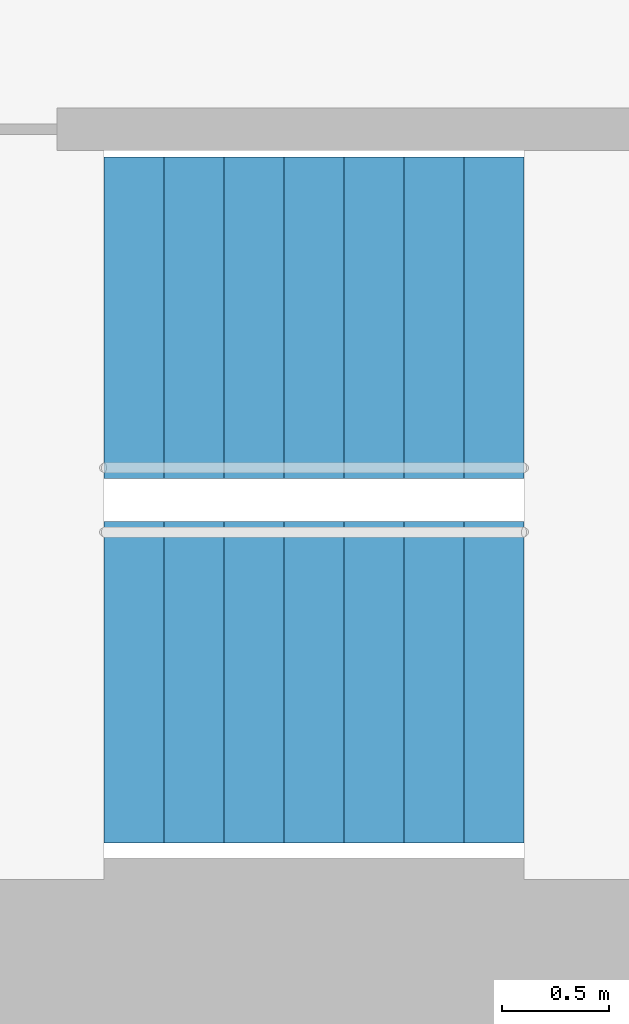
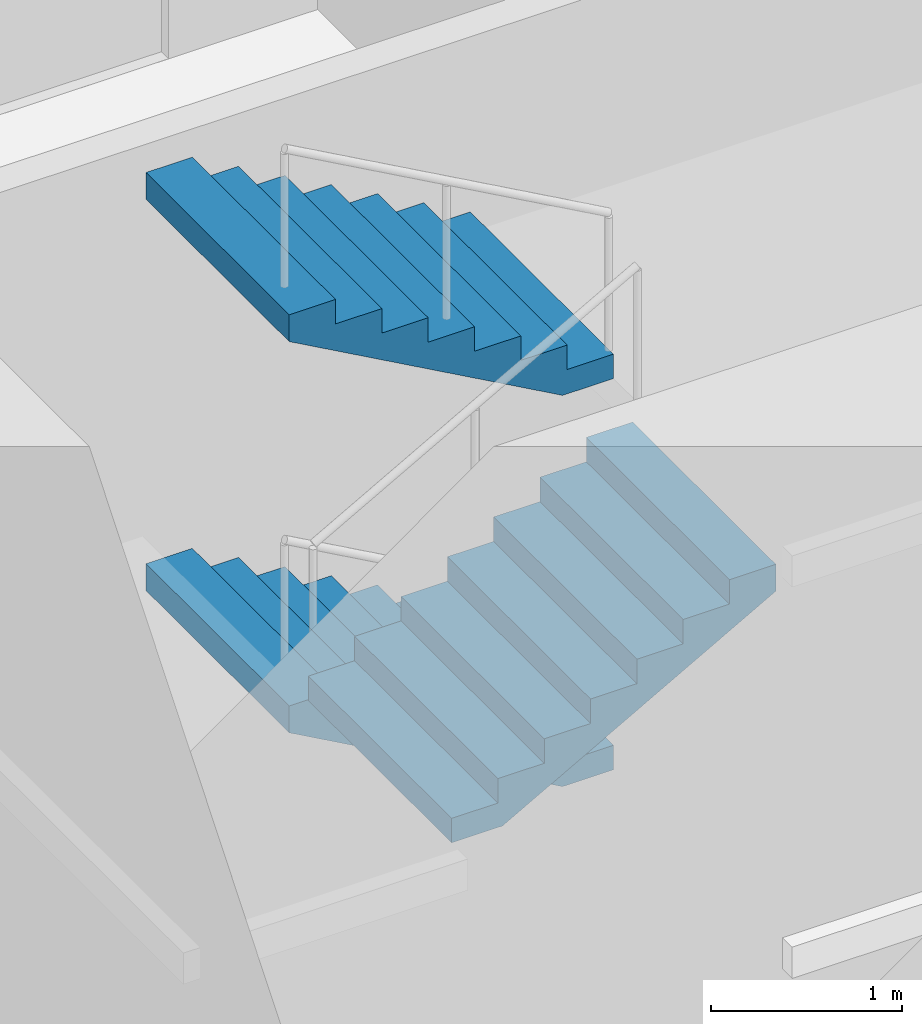
# One storey, part 31 of 73: 3 stair flights, 1 element without a shape of its own.
"""IFC4 building model written with IfcOpenShell, lengths in metres."""

from ifc_helpers import new_model, si_unit, direction, frame, origin, place, context, subcontext, project, spatial, triangles, material, type_object, element, aggregate, save


model = new_model("IFC4")

# Units and contexts
model_context = context("Model", 3, precision=1e-05, world=origin(), true_north=direction((0.0, 1.0)))
body_context = subcontext(model_context, "Body", "Model", "MODEL_VIEW")
ifc_project = project(units=[si_unit("LENGTHUNIT", "METRE"), si_unit("AREAUNIT", "SQUARE_METRE"), si_unit("VOLUMEUNIT", "CUBIC_METRE"), si_unit("PLANEANGLEUNIT", "RADIAN"), si_unit("MASSUNIT", "GRAM", prefix="KILO")], contexts=[model_context])

# Site, building, storey
site_placement = place(None, origin())
site = spatial("IfcSite", under=ifc_project, at=site_placement, CompositionType="ELEMENT")
building_placement = place(site_placement, origin())
building = spatial("IfcBuilding", under=site, at=building_placement, Name="Lantaw Convention Tower", CompositionType="ELEMENT")
storey_placement = place(building_placement, frame((0.0, 0.0, 22.0)))
storey = spatial("IfcBuildingStorey", under=building, at=storey_placement, Name="L03", CompositionType="ELEMENT", Elevation=22.0)

# Stair, stair flights
ifc_material = material(Name="Concrete C35/45", Category="concrete")
stair_type = type_object("IfcStairType", Name="Exit stair 1500 riser 156.25 in 4 flights", PredefinedType="HALF_TURN_STAIR", material=ifc_material)
stair_placement = place(storey_placement, origin())
stair = element("IfcStair", 1, at=stair_placement, inside=storey, type_object=stair_type, Name="Exit stair S1 L03", PredefinedType="HALF_TURN_STAIR")
stair_flight_type = type_object("IfcStairFlightType", Name="Stair flight 1500 riser 156.25", PredefinedType="STRAIGHT", material=ifc_material)
stair_flight_1_placement = place(storey_placement, frame((-8.6201171875, -4.280029296875, 1.25), z_axis=(0.0, 0.0, 1.0), x_axis=(-1.0, 0.0, 0.0)))
stair_flight_1 = element("IfcStairFlight", 2, at=stair_flight_1_placement, type_object=stair_flight_type, Name="S1 flight 2", NumberOfRisers=8, NumberOfTreads=7, PredefinedType="STRAIGHT", RiserHeight=0.15625, TreadLength=0.28, context=body_context, shape_type="Tessellation", body=[
    triangles([(0.0, 0.75, 0.0), (0.0, 0.75, 0.15625), (0.28, 0.75, 0.0), (0.28, 0.75, 0.15625), (0.28, 0.75, 0.3125), (0.3076200632058044, 0.75, 0.0), (0.3076200632058044, 0.75, 0.3125), (0.56, 0.75, 0.14083701830033238), (0.56, 0.75, 0.3125), (0.56, 0.75, 0.46875), (0.8400000000000001, 0.75, 0.29708701830033235), (0.8400000000000001, 0.75, 0.46875), (0.8400000000000001, 0.75, 0.625), (1.12, 0.75, 0.45333701830033235), (1.12, 0.75, 0.625), (1.12, 0.75, 0.78125), (1.4000000000000001, 0.75, 0.6095870183003324), (1.4000000000000001, 0.75, 0.78125), (1.4000000000000001, 0.75, 0.9375), (1.6800000000000002, 0.75, 0.7658370183003324), (1.6800000000000002, 0.75, 0.9375), (1.6800000000000002, 0.75, 1.09375), (1.9600000000000002, 0.75, 0.9220870183003324), (1.9600000000000002, 0.75, 1.09375), (0.0, -0.75, 0.0), (0.0, -0.75, 0.15625), (0.28, -0.75, 0.0), (0.28, -0.75, 0.15625), (0.28, -0.75, 0.3125), (0.3076200632058044, -0.75, 0.0), (0.3076200632058044, -0.75, 0.3125), (0.56, -0.75, 0.14083701830033238), (0.56, -0.75, 0.3125), (0.56, -0.75, 0.46875), (0.8400000000000001, -0.75, 0.29708701830033235), (0.8400000000000001, -0.75, 0.46875), (0.8400000000000001, -0.75, 0.625), (1.12, -0.75, 0.45333701830033235), (1.12, -0.75, 0.625), (1.12, -0.75, 0.78125), (1.4000000000000001, -0.75, 0.6095870183003324), (1.4000000000000001, -0.75, 0.78125), (1.4000000000000001, -0.75, 0.9375), (1.6800000000000002, -0.75, 0.7658370183003324), (1.6800000000000002, -0.75, 0.9375), (1.6800000000000002, -0.75, 1.09375), (1.9600000000000002, -0.75, 0.9220870183003324), (1.9600000000000002, -0.75, 1.09375), (0.0, 0.15000000000000002, 0.15625), (0.0, 0.15000000000000002, 0.0), (0.0, 0.0, 0.15625), (0.0, 0.0, 0.0), (0.0, -0.15000000000000002, 0.15625), (0.0, -0.15000000000000002, 0.0), (0.28, 0.15000000000000002, 0.3125), (0.28, 0.15000000000000002, 0.15625), (0.28, 0.0, 0.3125), (0.28, 0.0, 0.15625), (0.28, -0.15000000000000002, 0.3125), (0.28, -0.15000000000000002, 0.15625), (0.56, 0.15000000000000002, 0.46875), (0.56, 0.15000000000000002, 0.3125), (0.56, 0.0, 0.46875), (0.56, 0.0, 0.3125), (0.56, -0.15000000000000002, 0.46875), (0.56, -0.15000000000000002, 0.3125), (0.8400000000000001, 0.15000000000000002, 0.625), (0.8400000000000001, 0.15000000000000002, 0.46875), (0.8400000000000001, 0.0, 0.625), (0.8400000000000001, 0.0, 0.46875), (0.8400000000000001, -0.15000000000000002, 0.625), (0.8400000000000001, -0.15000000000000002, 0.46875), (1.12, 0.15000000000000002, 0.78125), (1.12, 0.15000000000000002, 0.625), (1.12, 0.0, 0.78125), (1.12, 0.0, 0.625), (1.12, -0.15000000000000002, 0.78125), (1.12, -0.15000000000000002, 0.625), (1.4000000000000001, 0.15000000000000002, 0.9375), (1.4000000000000001, 0.15000000000000002, 0.78125), (1.4000000000000001, 0.0, 0.9375), (1.4000000000000001, 0.0, 0.78125), (1.4000000000000001, -0.15000000000000002, 0.9375), (1.4000000000000001, -0.15000000000000002, 0.78125), (1.6800000000000002, 0.15000000000000002, 1.09375), (1.6800000000000002, 0.15000000000000002, 0.9375), (1.6800000000000002, 0.0, 1.09375), (1.6800000000000002, 0.0, 0.9375), (1.6800000000000002, -0.15000000000000002, 1.09375), (1.6800000000000002, -0.15000000000000002, 0.9375), (0.3076200632058044, 0.15000000000000002, 0.3125), (0.3076200632058044, 0.0, 0.3125), (0.3076200632058044, -0.15000000000000002, 0.3125), (1.9600000000000002, 0.15000000000000002, 1.09375), (1.9600000000000002, 0.0, 1.09375), (1.9600000000000002, -0.15000000000000002, 1.09375), (1.9600000000000002, 0.15000000000000002, 0.9220870183003324), (1.9600000000000002, 0.0, 0.9220870183003324), (1.9600000000000002, -0.15000000000000002, 0.9220870183003324), (1.6800000000000002, 0.15000000000000002, 0.7658370183003324), (1.6800000000000002, 0.0, 0.7658370183003324), (1.6800000000000002, -0.15000000000000002, 0.7658370183003324), (1.4000000000000001, 0.15000000000000002, 0.6095870183003324), (1.4000000000000001, 0.0, 0.6095870183003324), (1.4000000000000001, -0.15000000000000002, 0.6095870183003324), (1.12, 0.15000000000000002, 0.45333701830033235), (1.12, 0.0, 0.45333701830033235), (1.12, -0.15000000000000002, 0.45333701830033235), (0.8400000000000001, 0.15000000000000002, 0.29708701830033235), (0.8400000000000001, 0.0, 0.29708701830033235), (0.8400000000000001, -0.15000000000000002, 0.29708701830033235), (0.56, 0.15000000000000002, 0.14083701830033238), (0.56, 0.0, 0.14083701830033238), (0.56, -0.15000000000000002, 0.14083701830033238), (0.3076200632058044, 0.15000000000000002, 0.0), (0.3076200632058044, 0.0, 0.0), (0.3076200632058044, -0.15000000000000002, 0.0), (0.28, 0.15000000000000002, 0.0), (0.28, 0.0, 0.0), (0.28, -0.15000000000000002, 0.0)], [[1, 4, 3], [1, 2, 4], [3, 4, 6], [4, 7, 6], [4, 5, 7], [6, 9, 8], [6, 7, 9], [8, 9, 11], [9, 12, 11], [9, 10, 12], [11, 12, 14], [12, 15, 14], [12, 13, 15], [14, 15, 17], [15, 18, 17], [15, 16, 18], [17, 18, 20], [18, 21, 20], [18, 19, 21], [20, 21, 23], [21, 24, 23], [21, 22, 24], [25, 27, 28], [25, 28, 26], [27, 30, 28], [28, 30, 31], [28, 31, 29], [30, 32, 33], [30, 33, 31], [32, 35, 33], [33, 35, 36], [33, 36, 34], [35, 38, 36], [36, 38, 39], [36, 39, 37], [38, 41, 39], [39, 41, 42], [39, 42, 40], [41, 44, 42], [42, 44, 45], [42, 45, 43], [44, 47, 45], [45, 47, 48], [45, 48, 46], [1, 49, 2], [1, 50, 49], [50, 51, 49], [50, 52, 51], [52, 53, 51], [52, 54, 53], [54, 26, 53], [54, 25, 26], [4, 55, 5], [4, 56, 55], [56, 57, 55], [56, 58, 57], [58, 59, 57], [58, 60, 59], [60, 29, 59], [60, 28, 29], [9, 61, 10], [9, 62, 61], [62, 63, 61], [62, 64, 63], [64, 65, 63], [64, 66, 65], [66, 34, 65], [66, 33, 34], [12, 67, 13], [12, 68, 67], [68, 69, 67], [68, 70, 69], [70, 71, 69], [70, 72, 71], [72, 37, 71], [72, 36, 37], [15, 73, 16], [15, 74, 73], [74, 75, 73], [74, 76, 75], [76, 77, 75], [76, 78, 77], [78, 40, 77], [78, 39, 40], [18, 79, 19], [18, 80, 79], [80, 81, 79], [80, 82, 81], [82, 83, 81], [82, 84, 83], [84, 43, 83], [84, 42, 43], [21, 85, 22], [21, 86, 85], [86, 87, 85], [86, 88, 87], [88, 89, 87], [88, 90, 89], [90, 46, 89], [90, 45, 46], [2, 56, 4], [2, 49, 56], [49, 58, 56], [49, 51, 58], [51, 60, 58], [51, 53, 60], [53, 28, 60], [53, 26, 28], [5, 91, 7], [5, 55, 91], [55, 92, 91], [55, 57, 92], [57, 93, 92], [57, 59, 93], [59, 31, 93], [59, 29, 31], [7, 62, 9], [7, 91, 62], [91, 64, 62], [91, 92, 64], [92, 66, 64], [92, 93, 66], [93, 33, 66], [93, 31, 33], [10, 68, 12], [10, 61, 68], [61, 70, 68], [61, 63, 70], [63, 72, 70], [63, 65, 72], [65, 36, 72], [65, 34, 36], [13, 74, 15], [13, 67, 74], [67, 76, 74], [67, 69, 76], [69, 78, 76], [69, 71, 78], [71, 39, 78], [71, 37, 39], [16, 80, 18], [16, 73, 80], [73, 82, 80], [73, 75, 82], [75, 84, 82], [75, 77, 84], [77, 42, 84], [77, 40, 42], [19, 86, 21], [19, 79, 86], [79, 88, 86], [79, 81, 88], [81, 90, 88], [81, 83, 90], [83, 45, 90], [83, 43, 45], [22, 94, 24], [22, 85, 94], [85, 95, 94], [85, 87, 95], [87, 96, 95], [87, 89, 96], [89, 48, 96], [89, 46, 48], [24, 97, 23], [24, 94, 97], [94, 98, 97], [94, 95, 98], [95, 99, 98], [95, 96, 99], [96, 47, 99], [96, 48, 47], [23, 100, 20], [23, 97, 100], [97, 101, 100], [97, 98, 101], [98, 102, 101], [98, 99, 102], [99, 44, 102], [99, 47, 44], [20, 103, 17], [20, 100, 103], [100, 104, 103], [100, 101, 104], [101, 105, 104], [101, 102, 105], [102, 41, 105], [102, 44, 41], [17, 106, 14], [17, 103, 106], [103, 107, 106], [103, 104, 107], [104, 108, 107], [104, 105, 108], [105, 38, 108], [105, 41, 38], [14, 109, 11], [14, 106, 109], [106, 110, 109], [106, 107, 110], [107, 111, 110], [107, 108, 111], [108, 35, 111], [108, 38, 35], [11, 112, 8], [11, 109, 112], [109, 113, 112], [109, 110, 113], [110, 114, 113], [110, 111, 114], [111, 32, 114], [111, 35, 32], [8, 115, 6], [8, 112, 115], [112, 116, 115], [112, 113, 116], [113, 117, 116], [113, 114, 117], [114, 30, 117], [114, 32, 30], [6, 118, 3], [6, 115, 118], [115, 119, 118], [115, 116, 119], [116, 120, 119], [116, 117, 120], [117, 27, 120], [117, 30, 27], [3, 50, 1], [3, 118, 50], [118, 52, 50], [118, 119, 52], [119, 54, 52], [119, 120, 54], [120, 25, 54], [120, 27, 25]], closed=True),
])
stair_flight_2_placement = place(storey_placement, frame((-10.580078125, -5.97998046875, 2.5), z_axis=(0.0, 0.0, 1.0), x_axis=(1.0, 0.0, 0.0)))
stair_flight_2 = element("IfcStairFlight", 3, at=stair_flight_2_placement, type_object=stair_flight_type, Name="S1 flight 3", NumberOfRisers=8, NumberOfTreads=7, PredefinedType="STRAIGHT", RiserHeight=0.15625, TreadLength=0.28, context=body_context, shape_type="Tessellation", body=[
    triangles([(0.0, 0.75, 0.0), (0.0, 0.75, 0.15625), (0.28, 0.75, 0.0), (0.28, 0.75, 0.15625), (0.28, 0.75, 0.3125), (0.3076200632058044, 0.75, 0.0), (0.3076200632058044, 0.75, 0.3125), (0.56, 0.75, 0.14083701830033238), (0.56, 0.75, 0.3125), (0.56, 0.75, 0.46875), (0.8400000000000001, 0.75, 0.29708701830033235), (0.8400000000000001, 0.75, 0.46875), (0.8400000000000001, 0.75, 0.625), (1.12, 0.75, 0.45333701830033235), (1.12, 0.75, 0.625), (1.12, 0.75, 0.78125), (1.4000000000000001, 0.75, 0.6095870183003324), (1.4000000000000001, 0.75, 0.78125), (1.4000000000000001, 0.75, 0.9375), (1.6800000000000002, 0.75, 0.7658370183003324), (1.6800000000000002, 0.75, 0.9375), (1.6800000000000002, 0.75, 1.09375), (1.9600000000000002, 0.75, 0.9220870183003324), (1.9600000000000002, 0.75, 1.09375), (0.0, -0.75, 0.0), (0.0, -0.75, 0.15625), (0.28, -0.75, 0.0), (0.28, -0.75, 0.15625), (0.28, -0.75, 0.3125), (0.3076200632058044, -0.75, 0.0), (0.3076200632058044, -0.75, 0.3125), (0.56, -0.75, 0.14083701830033238), (0.56, -0.75, 0.3125), (0.56, -0.75, 0.46875), (0.8400000000000001, -0.75, 0.29708701830033235), (0.8400000000000001, -0.75, 0.46875), (0.8400000000000001, -0.75, 0.625), (1.12, -0.75, 0.45333701830033235), (1.12, -0.75, 0.625), (1.12, -0.75, 0.78125), (1.4000000000000001, -0.75, 0.6095870183003324), (1.4000000000000001, -0.75, 0.78125), (1.4000000000000001, -0.75, 0.9375), (1.6800000000000002, -0.75, 0.7658370183003324), (1.6800000000000002, -0.75, 0.9375), (1.6800000000000002, -0.75, 1.09375), (1.9600000000000002, -0.75, 0.9220870183003324), (1.9600000000000002, -0.75, 1.09375), (0.0, 0.15000000000000002, 0.15625), (0.0, 0.15000000000000002, 0.0), (0.0, 0.0, 0.15625), (0.0, 0.0, 0.0), (0.0, -0.15000000000000002, 0.15625), (0.0, -0.15000000000000002, 0.0), (0.28, 0.15000000000000002, 0.3125), (0.28, 0.15000000000000002, 0.15625), (0.28, 0.0, 0.3125), (0.28, 0.0, 0.15625), (0.28, -0.15000000000000002, 0.3125), (0.28, -0.15000000000000002, 0.15625), (0.56, 0.15000000000000002, 0.46875), (0.56, 0.15000000000000002, 0.3125), (0.56, 0.0, 0.46875), (0.56, 0.0, 0.3125), (0.56, -0.15000000000000002, 0.46875), (0.56, -0.15000000000000002, 0.3125), (0.8400000000000001, 0.15000000000000002, 0.625), (0.8400000000000001, 0.15000000000000002, 0.46875), (0.8400000000000001, 0.0, 0.625), (0.8400000000000001, 0.0, 0.46875), (0.8400000000000001, -0.15000000000000002, 0.625), (0.8400000000000001, -0.15000000000000002, 0.46875), (1.12, 0.15000000000000002, 0.78125), (1.12, 0.15000000000000002, 0.625), (1.12, 0.0, 0.78125), (1.12, 0.0, 0.625), (1.12, -0.15000000000000002, 0.78125), (1.12, -0.15000000000000002, 0.625), (1.4000000000000001, 0.15000000000000002, 0.9375), (1.4000000000000001, 0.15000000000000002, 0.78125), (1.4000000000000001, 0.0, 0.9375), (1.4000000000000001, 0.0, 0.78125), (1.4000000000000001, -0.15000000000000002, 0.9375), (1.4000000000000001, -0.15000000000000002, 0.78125), (1.6800000000000002, 0.15000000000000002, 1.09375), (1.6800000000000002, 0.15000000000000002, 0.9375), (1.6800000000000002, 0.0, 1.09375), (1.6800000000000002, 0.0, 0.9375), (1.6800000000000002, -0.15000000000000002, 1.09375), (1.6800000000000002, -0.15000000000000002, 0.9375), (0.3076200632058044, 0.15000000000000002, 0.3125), (0.3076200632058044, 0.0, 0.3125), (0.3076200632058044, -0.15000000000000002, 0.3125), (1.9600000000000002, 0.15000000000000002, 1.09375), (1.9600000000000002, 0.0, 1.09375), (1.9600000000000002, -0.15000000000000002, 1.09375), (1.9600000000000002, 0.15000000000000002, 0.9220870183003324), (1.9600000000000002, 0.0, 0.9220870183003324), (1.9600000000000002, -0.15000000000000002, 0.9220870183003324), (1.6800000000000002, 0.15000000000000002, 0.7658370183003324), (1.6800000000000002, 0.0, 0.7658370183003324), (1.6800000000000002, -0.15000000000000002, 0.7658370183003324), (1.4000000000000001, 0.15000000000000002, 0.6095870183003324), (1.4000000000000001, 0.0, 0.6095870183003324), (1.4000000000000001, -0.15000000000000002, 0.6095870183003324), (1.12, 0.15000000000000002, 0.45333701830033235), (1.12, 0.0, 0.45333701830033235), (1.12, -0.15000000000000002, 0.45333701830033235), (0.8400000000000001, 0.15000000000000002, 0.29708701830033235), (0.8400000000000001, 0.0, 0.29708701830033235), (0.8400000000000001, -0.15000000000000002, 0.29708701830033235), (0.56, 0.15000000000000002, 0.14083701830033238), (0.56, 0.0, 0.14083701830033238), (0.56, -0.15000000000000002, 0.14083701830033238), (0.3076200632058044, 0.15000000000000002, 0.0), (0.3076200632058044, 0.0, 0.0), (0.3076200632058044, -0.15000000000000002, 0.0), (0.28, 0.15000000000000002, 0.0), (0.28, 0.0, 0.0), (0.28, -0.15000000000000002, 0.0)], [[1, 4, 3], [1, 2, 4], [3, 4, 6], [4, 7, 6], [4, 5, 7], [6, 9, 8], [6, 7, 9], [8, 9, 11], [9, 12, 11], [9, 10, 12], [11, 12, 14], [12, 15, 14], [12, 13, 15], [14, 15, 17], [15, 18, 17], [15, 16, 18], [17, 18, 20], [18, 21, 20], [18, 19, 21], [20, 21, 23], [21, 24, 23], [21, 22, 24], [25, 27, 28], [25, 28, 26], [27, 30, 28], [28, 30, 31], [28, 31, 29], [30, 32, 33], [30, 33, 31], [32, 35, 33], [33, 35, 36], [33, 36, 34], [35, 38, 36], [36, 38, 39], [36, 39, 37], [38, 41, 39], [39, 41, 42], [39, 42, 40], [41, 44, 42], [42, 44, 45], [42, 45, 43], [44, 47, 45], [45, 47, 48], [45, 48, 46], [1, 49, 2], [1, 50, 49], [50, 51, 49], [50, 52, 51], [52, 53, 51], [52, 54, 53], [54, 26, 53], [54, 25, 26], [4, 55, 5], [4, 56, 55], [56, 57, 55], [56, 58, 57], [58, 59, 57], [58, 60, 59], [60, 29, 59], [60, 28, 29], [9, 61, 10], [9, 62, 61], [62, 63, 61], [62, 64, 63], [64, 65, 63], [64, 66, 65], [66, 34, 65], [66, 33, 34], [12, 67, 13], [12, 68, 67], [68, 69, 67], [68, 70, 69], [70, 71, 69], [70, 72, 71], [72, 37, 71], [72, 36, 37], [15, 73, 16], [15, 74, 73], [74, 75, 73], [74, 76, 75], [76, 77, 75], [76, 78, 77], [78, 40, 77], [78, 39, 40], [18, 79, 19], [18, 80, 79], [80, 81, 79], [80, 82, 81], [82, 83, 81], [82, 84, 83], [84, 43, 83], [84, 42, 43], [21, 85, 22], [21, 86, 85], [86, 87, 85], [86, 88, 87], [88, 89, 87], [88, 90, 89], [90, 46, 89], [90, 45, 46], [2, 56, 4], [2, 49, 56], [49, 58, 56], [49, 51, 58], [51, 60, 58], [51, 53, 60], [53, 28, 60], [53, 26, 28], [5, 91, 7], [5, 55, 91], [55, 92, 91], [55, 57, 92], [57, 93, 92], [57, 59, 93], [59, 31, 93], [59, 29, 31], [7, 62, 9], [7, 91, 62], [91, 64, 62], [91, 92, 64], [92, 66, 64], [92, 93, 66], [93, 33, 66], [93, 31, 33], [10, 68, 12], [10, 61, 68], [61, 70, 68], [61, 63, 70], [63, 72, 70], [63, 65, 72], [65, 36, 72], [65, 34, 36], [13, 74, 15], [13, 67, 74], [67, 76, 74], [67, 69, 76], [69, 78, 76], [69, 71, 78], [71, 39, 78], [71, 37, 39], [16, 80, 18], [16, 73, 80], [73, 82, 80], [73, 75, 82], [75, 84, 82], [75, 77, 84], [77, 42, 84], [77, 40, 42], [19, 86, 21], [19, 79, 86], [79, 88, 86], [79, 81, 88], [81, 90, 88], [81, 83, 90], [83, 45, 90], [83, 43, 45], [22, 94, 24], [22, 85, 94], [85, 95, 94], [85, 87, 95], [87, 96, 95], [87, 89, 96], [89, 48, 96], [89, 46, 48], [24, 97, 23], [24, 94, 97], [94, 98, 97], [94, 95, 98], [95, 99, 98], [95, 96, 99], [96, 47, 99], [96, 48, 47], [23, 100, 20], [23, 97, 100], [97, 101, 100], [97, 98, 101], [98, 102, 101], [98, 99, 102], [99, 44, 102], [99, 47, 44], [20, 103, 17], [20, 100, 103], [100, 104, 103], [100, 101, 104], [101, 105, 104], [101, 102, 105], [102, 41, 105], [102, 44, 41], [17, 106, 14], [17, 103, 106], [103, 107, 106], [103, 104, 107], [104, 108, 107], [104, 105, 108], [105, 38, 108], [105, 41, 38], [14, 109, 11], [14, 106, 109], [106, 110, 109], [106, 107, 110], [107, 111, 110], [107, 108, 111], [108, 35, 111], [108, 38, 35], [11, 112, 8], [11, 109, 112], [109, 113, 112], [109, 110, 113], [110, 114, 113], [110, 111, 114], [111, 32, 114], [111, 35, 32], [8, 115, 6], [8, 112, 115], [112, 116, 115], [112, 113, 116], [113, 117, 116], [113, 114, 117], [114, 30, 117], [114, 32, 30], [6, 118, 3], [6, 115, 118], [115, 119, 118], [115, 116, 119], [116, 120, 119], [116, 117, 120], [117, 27, 120], [117, 30, 27], [3, 50, 1], [3, 118, 50], [118, 52, 50], [118, 119, 52], [119, 54, 52], [119, 120, 54], [120, 25, 54], [120, 27, 25]], closed=True),
])
stair_flight_3_placement = place(storey_placement, frame((-8.6201171875, -4.280029296875, 3.75), z_axis=(0.0, 0.0, 1.0), x_axis=(-1.0, 0.0, 0.0)))
stair_flight_3 = element("IfcStairFlight", 4, at=stair_flight_3_placement, type_object=stair_flight_type, Name="S1 flight 4", NumberOfRisers=8, NumberOfTreads=7, PredefinedType="STRAIGHT", RiserHeight=0.15625, TreadLength=0.28, context=body_context, shape_type="Tessellation", body=[
    triangles([(0.0, 0.75, 0.0), (0.0, 0.75, 0.15625), (0.28, 0.75, 0.0), (0.28, 0.75, 0.15625), (0.28, 0.75, 0.3125), (0.3076200632058044, 0.75, 0.0), (0.3076200632058044, 0.75, 0.3125), (0.56, 0.75, 0.14083701830033238), (0.56, 0.75, 0.3125), (0.56, 0.75, 0.46875), (0.8400000000000001, 0.75, 0.29708701830033235), (0.8400000000000001, 0.75, 0.46875), (0.8400000000000001, 0.75, 0.625), (1.12, 0.75, 0.45333701830033235), (1.12, 0.75, 0.625), (1.12, 0.75, 0.78125), (1.4000000000000001, 0.75, 0.6095870183003324), (1.4000000000000001, 0.75, 0.78125), (1.4000000000000001, 0.75, 0.9375), (1.6800000000000002, 0.75, 0.7658370183003324), (1.6800000000000002, 0.75, 0.9375), (1.6800000000000002, 0.75, 1.09375), (1.9600000000000002, 0.75, 0.9220870183003324), (1.9600000000000002, 0.75, 1.09375), (0.0, -0.75, 0.0), (0.0, -0.75, 0.15625), (0.28, -0.75, 0.0), (0.28, -0.75, 0.15625), (0.28, -0.75, 0.3125), (0.3076200632058044, -0.75, 0.0), (0.3076200632058044, -0.75, 0.3125), (0.56, -0.75, 0.14083701830033238), (0.56, -0.75, 0.3125), (0.56, -0.75, 0.46875), (0.8400000000000001, -0.75, 0.29708701830033235), (0.8400000000000001, -0.75, 0.46875), (0.8400000000000001, -0.75, 0.625), (1.12, -0.75, 0.45333701830033235), (1.12, -0.75, 0.625), (1.12, -0.75, 0.78125), (1.4000000000000001, -0.75, 0.6095870183003324), (1.4000000000000001, -0.75, 0.78125), (1.4000000000000001, -0.75, 0.9375), (1.6800000000000002, -0.75, 0.7658370183003324), (1.6800000000000002, -0.75, 0.9375), (1.6800000000000002, -0.75, 1.09375), (1.9600000000000002, -0.75, 0.9220870183003324), (1.9600000000000002, -0.75, 1.09375), (0.0, 0.15000000000000002, 0.15625), (0.0, 0.15000000000000002, 0.0), (0.0, 0.0, 0.15625), (0.0, 0.0, 0.0), (0.0, -0.15000000000000002, 0.15625), (0.0, -0.15000000000000002, 0.0), (0.28, 0.15000000000000002, 0.3125), (0.28, 0.15000000000000002, 0.15625), (0.28, 0.0, 0.3125), (0.28, 0.0, 0.15625), (0.28, -0.15000000000000002, 0.3125), (0.28, -0.15000000000000002, 0.15625), (0.56, 0.15000000000000002, 0.46875), (0.56, 0.15000000000000002, 0.3125), (0.56, 0.0, 0.46875), (0.56, 0.0, 0.3125), (0.56, -0.15000000000000002, 0.46875), (0.56, -0.15000000000000002, 0.3125), (0.8400000000000001, 0.15000000000000002, 0.625), (0.8400000000000001, 0.15000000000000002, 0.46875), (0.8400000000000001, 0.0, 0.625), (0.8400000000000001, 0.0, 0.46875), (0.8400000000000001, -0.15000000000000002, 0.625), (0.8400000000000001, -0.15000000000000002, 0.46875), (1.12, 0.15000000000000002, 0.78125), (1.12, 0.15000000000000002, 0.625), (1.12, 0.0, 0.78125), (1.12, 0.0, 0.625), (1.12, -0.15000000000000002, 0.78125), (1.12, -0.15000000000000002, 0.625), (1.4000000000000001, 0.15000000000000002, 0.9375), (1.4000000000000001, 0.15000000000000002, 0.78125), (1.4000000000000001, 0.0, 0.9375), (1.4000000000000001, 0.0, 0.78125), (1.4000000000000001, -0.15000000000000002, 0.9375), (1.4000000000000001, -0.15000000000000002, 0.78125), (1.6800000000000002, 0.15000000000000002, 1.09375), (1.6800000000000002, 0.15000000000000002, 0.9375), (1.6800000000000002, 0.0, 1.09375), (1.6800000000000002, 0.0, 0.9375), (1.6800000000000002, -0.15000000000000002, 1.09375), (1.6800000000000002, -0.15000000000000002, 0.9375), (0.3076200632058044, 0.15000000000000002, 0.3125), (0.3076200632058044, 0.0, 0.3125), (0.3076200632058044, -0.15000000000000002, 0.3125), (1.9600000000000002, 0.15000000000000002, 1.09375), (1.9600000000000002, 0.0, 1.09375), (1.9600000000000002, -0.15000000000000002, 1.09375), (1.9600000000000002, 0.15000000000000002, 0.9220870183003324), (1.9600000000000002, 0.0, 0.9220870183003324), (1.9600000000000002, -0.15000000000000002, 0.9220870183003324), (1.6800000000000002, 0.15000000000000002, 0.7658370183003324), (1.6800000000000002, 0.0, 0.7658370183003324), (1.6800000000000002, -0.15000000000000002, 0.7658370183003324), (1.4000000000000001, 0.15000000000000002, 0.6095870183003324), (1.4000000000000001, 0.0, 0.6095870183003324), (1.4000000000000001, -0.15000000000000002, 0.6095870183003324), (1.12, 0.15000000000000002, 0.45333701830033235), (1.12, 0.0, 0.45333701830033235), (1.12, -0.15000000000000002, 0.45333701830033235), (0.8400000000000001, 0.15000000000000002, 0.29708701830033235), (0.8400000000000001, 0.0, 0.29708701830033235), (0.8400000000000001, -0.15000000000000002, 0.29708701830033235), (0.56, 0.15000000000000002, 0.14083701830033238), (0.56, 0.0, 0.14083701830033238), (0.56, -0.15000000000000002, 0.14083701830033238), (0.3076200632058044, 0.15000000000000002, 0.0), (0.3076200632058044, 0.0, 0.0), (0.3076200632058044, -0.15000000000000002, 0.0), (0.28, 0.15000000000000002, 0.0), (0.28, 0.0, 0.0), (0.28, -0.15000000000000002, 0.0)], [[1, 4, 3], [1, 2, 4], [3, 4, 6], [4, 7, 6], [4, 5, 7], [6, 9, 8], [6, 7, 9], [8, 9, 11], [9, 12, 11], [9, 10, 12], [11, 12, 14], [12, 15, 14], [12, 13, 15], [14, 15, 17], [15, 18, 17], [15, 16, 18], [17, 18, 20], [18, 21, 20], [18, 19, 21], [20, 21, 23], [21, 24, 23], [21, 22, 24], [25, 27, 28], [25, 28, 26], [27, 30, 28], [28, 30, 31], [28, 31, 29], [30, 32, 33], [30, 33, 31], [32, 35, 33], [33, 35, 36], [33, 36, 34], [35, 38, 36], [36, 38, 39], [36, 39, 37], [38, 41, 39], [39, 41, 42], [39, 42, 40], [41, 44, 42], [42, 44, 45], [42, 45, 43], [44, 47, 45], [45, 47, 48], [45, 48, 46], [1, 49, 2], [1, 50, 49], [50, 51, 49], [50, 52, 51], [52, 53, 51], [52, 54, 53], [54, 26, 53], [54, 25, 26], [4, 55, 5], [4, 56, 55], [56, 57, 55], [56, 58, 57], [58, 59, 57], [58, 60, 59], [60, 29, 59], [60, 28, 29], [9, 61, 10], [9, 62, 61], [62, 63, 61], [62, 64, 63], [64, 65, 63], [64, 66, 65], [66, 34, 65], [66, 33, 34], [12, 67, 13], [12, 68, 67], [68, 69, 67], [68, 70, 69], [70, 71, 69], [70, 72, 71], [72, 37, 71], [72, 36, 37], [15, 73, 16], [15, 74, 73], [74, 75, 73], [74, 76, 75], [76, 77, 75], [76, 78, 77], [78, 40, 77], [78, 39, 40], [18, 79, 19], [18, 80, 79], [80, 81, 79], [80, 82, 81], [82, 83, 81], [82, 84, 83], [84, 43, 83], [84, 42, 43], [21, 85, 22], [21, 86, 85], [86, 87, 85], [86, 88, 87], [88, 89, 87], [88, 90, 89], [90, 46, 89], [90, 45, 46], [2, 56, 4], [2, 49, 56], [49, 58, 56], [49, 51, 58], [51, 60, 58], [51, 53, 60], [53, 28, 60], [53, 26, 28], [5, 91, 7], [5, 55, 91], [55, 92, 91], [55, 57, 92], [57, 93, 92], [57, 59, 93], [59, 31, 93], [59, 29, 31], [7, 62, 9], [7, 91, 62], [91, 64, 62], [91, 92, 64], [92, 66, 64], [92, 93, 66], [93, 33, 66], [93, 31, 33], [10, 68, 12], [10, 61, 68], [61, 70, 68], [61, 63, 70], [63, 72, 70], [63, 65, 72], [65, 36, 72], [65, 34, 36], [13, 74, 15], [13, 67, 74], [67, 76, 74], [67, 69, 76], [69, 78, 76], [69, 71, 78], [71, 39, 78], [71, 37, 39], [16, 80, 18], [16, 73, 80], [73, 82, 80], [73, 75, 82], [75, 84, 82], [75, 77, 84], [77, 42, 84], [77, 40, 42], [19, 86, 21], [19, 79, 86], [79, 88, 86], [79, 81, 88], [81, 90, 88], [81, 83, 90], [83, 45, 90], [83, 43, 45], [22, 94, 24], [22, 85, 94], [85, 95, 94], [85, 87, 95], [87, 96, 95], [87, 89, 96], [89, 48, 96], [89, 46, 48], [24, 97, 23], [24, 94, 97], [94, 98, 97], [94, 95, 98], [95, 99, 98], [95, 96, 99], [96, 47, 99], [96, 48, 47], [23, 100, 20], [23, 97, 100], [97, 101, 100], [97, 98, 101], [98, 102, 101], [98, 99, 102], [99, 44, 102], [99, 47, 44], [20, 103, 17], [20, 100, 103], [100, 104, 103], [100, 101, 104], [101, 105, 104], [101, 102, 105], [102, 41, 105], [102, 44, 41], [17, 106, 14], [17, 103, 106], [103, 107, 106], [103, 104, 107], [104, 108, 107], [104, 105, 108], [105, 38, 108], [105, 41, 38], [14, 109, 11], [14, 106, 109], [106, 110, 109], [106, 107, 110], [107, 111, 110], [107, 108, 111], [108, 35, 111], [108, 38, 35], [11, 112, 8], [11, 109, 112], [109, 113, 112], [109, 110, 113], [110, 114, 113], [110, 111, 114], [111, 32, 114], [111, 35, 32], [8, 115, 6], [8, 112, 115], [112, 116, 115], [112, 113, 116], [113, 117, 116], [113, 114, 117], [114, 30, 117], [114, 32, 30], [6, 118, 3], [6, 115, 118], [115, 119, 118], [115, 116, 119], [116, 120, 119], [116, 117, 120], [117, 27, 120], [117, 30, 27], [3, 50, 1], [3, 118, 50], [118, 52, 50], [118, 119, 52], [119, 54, 52], [119, 120, 54], [120, 25, 54], [120, 27, 25]], closed=True),
])
aggregate(stair, [stair_flight_1, stair_flight_2, stair_flight_3])

save(model, "model.ifc")
